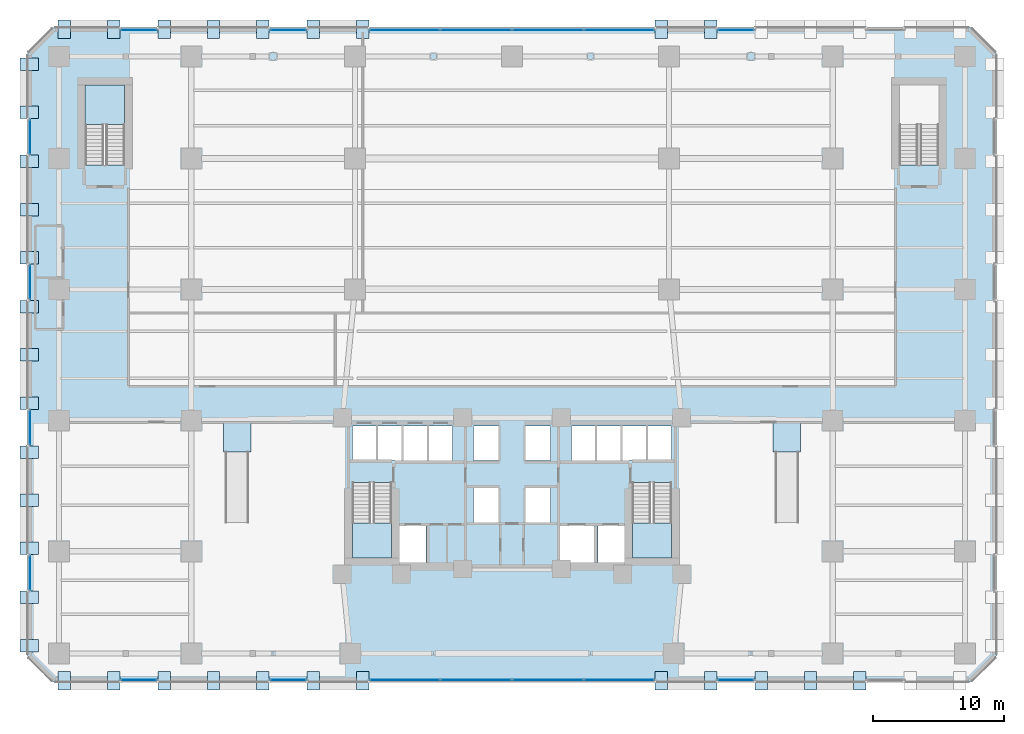
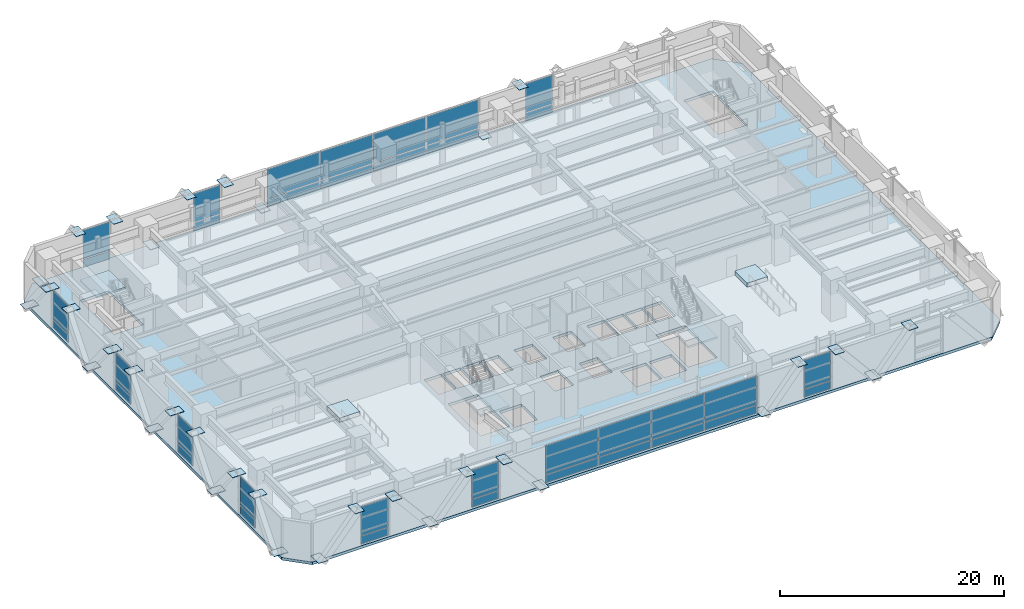
# One storey, part 12 of 26: 70 plates, 6 slabs, 15 elements without a shape of their own.
"""IFC4 building model written with IfcOpenShell, lengths in metres."""

from ifc_helpers import new_model, si_unit, direction, frame, origin, origin_2d, place, context, subcontext, project, spatial, polyline, rectangle, outline, extrude, material, layer, layer_set, type_object, element, aggregate, save


model = new_model("IFC4")

# Units and contexts
model_context = context("Model", 3, precision=1e-05, world=origin(), true_north=direction((0.0, 1.0)))
body_context = subcontext(model_context, "Body", "Model", "MODEL_VIEW")
ifc_project = project(units=[si_unit("LENGTHUNIT", "METRE"), si_unit("AREAUNIT", "SQUARE_METRE"), si_unit("VOLUMEUNIT", "CUBIC_METRE"), si_unit("PLANEANGLEUNIT", "RADIAN"), si_unit("MASSUNIT", "GRAM", prefix="KILO")], contexts=[model_context])

# Site, building, storey
site_placement = place(None, origin())
site = spatial("IfcSite", under=ifc_project, at=site_placement, CompositionType="ELEMENT")
building_placement = place(site_placement, origin())
building = spatial("IfcBuilding", under=site, at=building_placement, Name="Quenlor Broadcast Tower", CompositionType="ELEMENT")
storey_placement = place(building_placement, frame((0.0, 0.0, 5.0)))
storey = spatial("IfcBuildingStorey", under=building, at=storey_placement, Name="L01", CompositionType="ELEMENT", Elevation=5.0)

# Slabs
ifc_material_1 = material(Name="Concrete C40/50", Category="concrete")
ifc_layer_1 = layer(ifc_material_1, 0.449951171875)
ifc_layer_set_1 = layer_set([ifc_layer_1], Name="Broadcast Raised Concrete C40/50 Plinth Slab 450")
slab_type_1 = type_object("IfcSlabType", Name="Broadcast Raised Concrete C40/50 Plinth Slab 450", PredefinedType="FLOOR", material=ifc_layer_set_1)
slab_1_placement = place(storey_placement, origin())
element("IfcSlab", 1, at=slab_1_placement, inside=storey, type_object=slab_type_1, Name="L01 Accessible Ramp Arrival Plinth 1", PredefinedType="FLOOR", context=body_context, shape_type="SweptSolid", body=[
    extrude(outline(polyline([(-22.050048828125, -7.39990234375), (-19.949951171875, -7.39990234375), (-19.949951171875, -5.199951171875), (-22.050048828125, -5.199951171875), (-22.050048828125, -7.39990234375)])), origin(), (0.0, 0.0, 1.0), 0.449951171875),
])
slab_2_placement = place(storey_placement, origin())
element("IfcSlab", 2, at=slab_2_placement, inside=storey, type_object=slab_type_1, Name="L01 Accessible Ramp Arrival Plinth 2", PredefinedType="FLOOR", context=body_context, shape_type="SweptSolid", body=[
    extrude(outline(polyline([(19.949951171875, -7.39990234375), (22.050048828125, -7.39990234375), (22.050048828125, -5.199951171875), (19.949951171875, -5.199951171875), (19.949951171875, -7.39990234375)])), origin(), (0.0, 0.0, 1.0), 0.449951171875),
])

# Curtain wall, plates
ifc_material_2 = material(Name="Architectural Terracotta and Low-E Glazing", Category="masonry")
curtain_wall_type = type_object("IfcCurtainWallType", Name="Station Concourse and Crown Terracotta Curtain Wall", PredefinedType="NOTDEFINED", material=ifc_material_2)
curtain_wall_1_placement = place(storey_placement, origin())
curtain_wall_1 = element("IfcCurtainWall", 3, at=curtain_wall_1_placement, inside=storey, type_object=curtain_wall_type, Name="L01 Curtain Wall CW6 (L01-S-FULL-G2)", PredefinedType="NOTDEFINED")
ifc_material_3 = material(Name="Double Glazed Low-E Solar Glass", Category="glass")
ifc_layer_2 = layer(ifc_material_3, 0.033935546875)
ifc_layer_set_2 = layer_set([ifc_layer_2], Name="CW6 Double Glazed Vision Panel 34")
plate_type_1 = type_object("IfcPlateType", Name="CW6 Double Glazed Vision Panel 34", PredefinedType="CURTAIN_PANEL", material=ifc_layer_set_2)
plate_1_placement = place(storey_placement, frame((17.10009765625, -24.820068359375, 0.08203125), z_axis=(0.0, 0.0, 1.0), x_axis=(-1.0, 0.0, 0.0)))
plate_1 = element("IfcPlate", 4, at=plate_1_placement, type_object=plate_type_1, Name="CW6 panel 1.1", PredefinedType="CURTAIN_PANEL", context=body_context, shape_type="SweptSolid", body=[
    extrude(rectangle(XDim=2.737060546875, YDim=0.033935546875, at=origin_2d()), origin(), (0.0, 0.0, 1.0), 0.826904296875),
])
plate_2_placement = place(storey_placement, frame((17.10009765625, -24.820068359375, 0.990966796875), z_axis=(0.0, 0.0, 1.0), x_axis=(-1.0, 0.0, 0.0)))
plate_2 = element("IfcPlate", 5, at=plate_2_placement, type_object=plate_type_1, Name="CW6 panel 1.2", PredefinedType="CURTAIN_PANEL", context=body_context, shape_type="SweptSolid", body=[
    extrude(rectangle(XDim=2.737060546875, YDim=0.033935546875, at=origin_2d()), origin(), (0.0, 0.0, 1.0), 3.126953125),
])
aggregate(curtain_wall_1, [plate_1, plate_2])

curtain_wall_2_placement = place(storey_placement, origin())
curtain_wall_2 = element("IfcCurtainWall", 6, at=curtain_wall_2_placement, inside=storey, type_object=curtain_wall_type, Name="L01 Curtain Wall CW6 (L01-S-FULL-G3)", PredefinedType="NOTDEFINED")
plate_3_placement = place(storey_placement, frame((8.1923828125, -24.820068359375, 0.08203125), z_axis=(0.0, 0.0, 1.0), x_axis=(-1.0, 0.0, 0.0)))
plate_3 = element("IfcPlate", 7, at=plate_3_placement, type_object=plate_type_1, Name="CW6 panel 1.1", PredefinedType="CURTAIN_PANEL", context=body_context, shape_type="SweptSolid", body=[
    extrude(rectangle(XDim=5.352294921875, YDim=0.033935546875, at=origin_2d()), origin(), (0.0, 0.0, 1.0), 0.826904296875),
])
plate_4_placement = place(storey_placement, frame((8.1923828125, -24.820068359375, 0.990966796875), z_axis=(0.0, 0.0, 1.0), x_axis=(-1.0, 0.0, 0.0)))
plate_4 = element("IfcPlate", 8, at=plate_4_placement, type_object=plate_type_1, Name="CW6 panel 1.2", PredefinedType="CURTAIN_PANEL", context=body_context, shape_type="SweptSolid", body=[
    extrude(rectangle(XDim=5.352294921875, YDim=0.033935546875, at=origin_2d()), origin(), (0.0, 0.0, 1.0), 3.126953125),
])
plate_5_placement = place(storey_placement, frame((2.737548828125, -24.820068359375, 0.08203125), z_axis=(0.0, 0.0, 1.0), x_axis=(-1.0, 0.0, 0.0)))
plate_5 = element("IfcPlate", 9, at=plate_5_placement, type_object=plate_type_1, Name="CW6 panel 2.1", PredefinedType="CURTAIN_PANEL", context=body_context, shape_type="SweptSolid", body=[
    extrude(rectangle(XDim=5.393310546875, YDim=0.033935546875, at=origin_2d()), origin(), (0.0, 0.0, 1.0), 0.826904296875),
])
plate_6_placement = place(storey_placement, frame((2.737548828125, -24.820068359375, 0.990966796875), z_axis=(0.0, 0.0, 1.0), x_axis=(-1.0, 0.0, 0.0)))
plate_6 = element("IfcPlate", 10, at=plate_6_placement, type_object=plate_type_1, Name="CW6 panel 2.2", PredefinedType="CURTAIN_PANEL", context=body_context, shape_type="SweptSolid", body=[
    extrude(rectangle(XDim=5.393310546875, YDim=0.033935546875, at=origin_2d()), origin(), (0.0, 0.0, 1.0), 3.126953125),
])
plate_7_placement = place(storey_placement, frame((-2.737548828125, -24.820068359375, 0.08203125), z_axis=(0.0, 0.0, 1.0), x_axis=(-1.0, 0.0, 0.0)))
plate_7 = element("IfcPlate", 11, at=plate_7_placement, type_object=plate_type_1, Name="CW6 panel 3.1", PredefinedType="CURTAIN_PANEL", context=body_context, shape_type="SweptSolid", body=[
    extrude(rectangle(XDim=5.393310546875, YDim=0.033935546875, at=origin_2d()), origin(), (0.0, 0.0, 1.0), 0.826904296875),
])
plate_8_placement = place(storey_placement, frame((-2.737548828125, -24.820068359375, 0.990966796875), z_axis=(0.0, 0.0, 1.0), x_axis=(-1.0, 0.0, 0.0)))
plate_8 = element("IfcPlate", 12, at=plate_8_placement, type_object=plate_type_1, Name="CW6 panel 3.2", PredefinedType="CURTAIN_PANEL", context=body_context, shape_type="SweptSolid", body=[
    extrude(rectangle(XDim=5.393310546875, YDim=0.033935546875, at=origin_2d()), origin(), (0.0, 0.0, 1.0), 3.126953125),
])
plate_9_placement = place(storey_placement, frame((-8.1923828125, -24.820068359375, 0.08203125), z_axis=(0.0, 0.0, 1.0), x_axis=(-1.0, 0.0, 0.0)))
plate_9 = element("IfcPlate", 13, at=plate_9_placement, type_object=plate_type_1, Name="CW6 panel 4.1", PredefinedType="CURTAIN_PANEL", context=body_context, shape_type="SweptSolid", body=[
    extrude(rectangle(XDim=5.352294921875, YDim=0.033935546875, at=origin_2d()), origin(), (0.0, 0.0, 1.0), 0.826904296875),
])
plate_10_placement = place(storey_placement, frame((-8.1923828125, -24.820068359375, 0.990966796875), z_axis=(0.0, 0.0, 1.0), x_axis=(-1.0, 0.0, 0.0)))
plate_10 = element("IfcPlate", 14, at=plate_10_placement, type_object=plate_type_1, Name="CW6 panel 4.2", PredefinedType="CURTAIN_PANEL", context=body_context, shape_type="SweptSolid", body=[
    extrude(rectangle(XDim=5.352294921875, YDim=0.033935546875, at=origin_2d()), origin(), (0.0, 0.0, 1.0), 3.126953125),
])
aggregate(curtain_wall_2, [plate_3, plate_4, plate_5, plate_6, plate_7, plate_8, plate_9, plate_10])

curtain_wall_3_placement = place(storey_placement, origin())
curtain_wall_3 = element("IfcCurtainWall", 15, at=curtain_wall_3_placement, inside=storey, type_object=curtain_wall_type, Name="L01 Curtain Wall CW6 (L01-S-FULL-G4)", PredefinedType="NOTDEFINED")
plate_11_placement = place(storey_placement, frame((-17.10009765625, -24.820068359375, 0.08203125), z_axis=(0.0, 0.0, 1.0), x_axis=(-1.0, 0.0, 0.0)))
plate_11 = element("IfcPlate", 16, at=plate_11_placement, type_object=plate_type_1, Name="CW6 panel 1.1", PredefinedType="CURTAIN_PANEL", context=body_context, shape_type="SweptSolid", body=[
    extrude(rectangle(XDim=2.737060546875, YDim=0.033935546875, at=origin_2d()), origin(), (0.0, 0.0, 1.0), 0.826904296875),
])
plate_12_placement = place(storey_placement, frame((-17.10009765625, -24.820068359375, 0.990966796875), z_axis=(0.0, 0.0, 1.0), x_axis=(-1.0, 0.0, 0.0)))
plate_12 = element("IfcPlate", 17, at=plate_12_placement, type_object=plate_type_1, Name="CW6 panel 1.2", PredefinedType="CURTAIN_PANEL", context=body_context, shape_type="SweptSolid", body=[
    extrude(rectangle(XDim=2.737060546875, YDim=0.033935546875, at=origin_2d()), origin(), (0.0, 0.0, 1.0), 3.126953125),
])
aggregate(curtain_wall_3, [plate_11, plate_12])

curtain_wall_4_placement = place(storey_placement, origin())
curtain_wall_4 = element("IfcCurtainWall", 18, at=curtain_wall_4_placement, inside=storey, type_object=curtain_wall_type, Name="L01 Curtain Wall CW6 (L01-S-FULL-G5)", PredefinedType="NOTDEFINED")
plate_13_placement = place(storey_placement, frame((-28.5, -24.820068359375, 0.08203125), z_axis=(0.0, 0.0, 1.0), x_axis=(-1.0, 0.0, 0.0)))
plate_13 = element("IfcPlate", 19, at=plate_13_placement, type_object=plate_type_1, Name="CW6 panel 1.1", PredefinedType="CURTAIN_PANEL", context=body_context, shape_type="SweptSolid", body=[
    extrude(rectangle(XDim=2.737060546875, YDim=0.033935546875, at=origin_2d()), origin(), (0.0, 0.0, 1.0), 0.826904296875),
])
plate_14_placement = place(storey_placement, frame((-28.5, -24.820068359375, 0.990966796875), z_axis=(0.0, 0.0, 1.0), x_axis=(-1.0, 0.0, 0.0)))
plate_14 = element("IfcPlate", 20, at=plate_14_placement, type_object=plate_type_1, Name="CW6 panel 1.2", PredefinedType="CURTAIN_PANEL", context=body_context, shape_type="SweptSolid", body=[
    extrude(rectangle(XDim=2.737060546875, YDim=0.033935546875, at=origin_2d()), origin(), (0.0, 0.0, 1.0), 3.126953125),
])
aggregate(curtain_wall_4, [plate_13, plate_14])

curtain_wall_5_placement = place(storey_placement, origin())
curtain_wall_5 = element("IfcCurtainWall", 21, at=curtain_wall_5_placement, inside=storey, type_object=curtain_wall_type, Name="L01 Curtain Wall CW6 (L01-N-FULL-G1)", PredefinedType="NOTDEFINED")
plate_15_placement = place(storey_placement, frame((-28.5, 24.820068359375, 0.08203125), z_axis=(0.0, 0.0, 1.0), x_axis=(1.0, 0.0, 0.0)))
plate_15 = element("IfcPlate", 22, at=plate_15_placement, type_object=plate_type_1, Name="CW6 panel 1.1", PredefinedType="CURTAIN_PANEL", context=body_context, shape_type="SweptSolid", body=[
    extrude(rectangle(XDim=2.737060546875, YDim=0.033935546875, at=origin_2d()), origin(), (0.0, 0.0, 1.0), 0.826904296875),
])
plate_16_placement = place(storey_placement, frame((-28.5, 24.820068359375, 0.990966796875), z_axis=(0.0, 0.0, 1.0), x_axis=(1.0, 0.0, 0.0)))
plate_16 = element("IfcPlate", 23, at=plate_16_placement, type_object=plate_type_1, Name="CW6 panel 1.2", PredefinedType="CURTAIN_PANEL", context=body_context, shape_type="SweptSolid", body=[
    extrude(rectangle(XDim=2.737060546875, YDim=0.033935546875, at=origin_2d()), origin(), (0.0, 0.0, 1.0), 3.126953125),
])
aggregate(curtain_wall_5, [plate_15, plate_16])

curtain_wall_6_placement = place(storey_placement, origin())
curtain_wall_6 = element("IfcCurtainWall", 24, at=curtain_wall_6_placement, inside=storey, type_object=curtain_wall_type, Name="L01 Curtain Wall CW6 (L01-N-FULL-G2)", PredefinedType="NOTDEFINED")
plate_17_placement = place(storey_placement, frame((-17.10009765625, 24.820068359375, 0.08203125), z_axis=(0.0, 0.0, 1.0), x_axis=(1.0, 0.0, 0.0)))
plate_17 = element("IfcPlate", 25, at=plate_17_placement, type_object=plate_type_1, Name="CW6 panel 1.1", PredefinedType="CURTAIN_PANEL", context=body_context, shape_type="SweptSolid", body=[
    extrude(rectangle(XDim=2.737060546875, YDim=0.033935546875, at=origin_2d()), origin(), (0.0, 0.0, 1.0), 0.826904296875),
])
plate_18_placement = place(storey_placement, frame((-17.10009765625, 24.820068359375, 0.990966796875), z_axis=(0.0, 0.0, 1.0), x_axis=(1.0, 0.0, 0.0)))
plate_18 = element("IfcPlate", 26, at=plate_18_placement, type_object=plate_type_1, Name="CW6 panel 1.2", PredefinedType="CURTAIN_PANEL", context=body_context, shape_type="SweptSolid", body=[
    extrude(rectangle(XDim=2.737060546875, YDim=0.033935546875, at=origin_2d()), origin(), (0.0, 0.0, 1.0), 3.126953125),
])
aggregate(curtain_wall_6, [plate_17, plate_18])

curtain_wall_7_placement = place(storey_placement, origin())
curtain_wall_7 = element("IfcCurtainWall", 27, at=curtain_wall_7_placement, inside=storey, type_object=curtain_wall_type, Name="L01 Curtain Wall CW6 (L01-N-FULL-G3)", PredefinedType="NOTDEFINED")
plate_19_placement = place(storey_placement, frame((-8.1923828125, 24.820068359375, 0.08203125), z_axis=(0.0, 0.0, 1.0), x_axis=(1.0, 0.0, 0.0)))
plate_19 = element("IfcPlate", 28, at=plate_19_placement, type_object=plate_type_1, Name="CW6 panel 1.1", PredefinedType="CURTAIN_PANEL", context=body_context, shape_type="SweptSolid", body=[
    extrude(rectangle(XDim=5.352294921875, YDim=0.033935546875, at=origin_2d()), origin(), (0.0, 0.0, 1.0), 0.826904296875),
])
plate_20_placement = place(storey_placement, frame((-8.1923828125, 24.820068359375, 0.990966796875), z_axis=(0.0, 0.0, 1.0), x_axis=(1.0, 0.0, 0.0)))
plate_20 = element("IfcPlate", 29, at=plate_20_placement, type_object=plate_type_1, Name="CW6 panel 1.2", PredefinedType="CURTAIN_PANEL", context=body_context, shape_type="SweptSolid", body=[
    extrude(rectangle(XDim=5.352294921875, YDim=0.033935546875, at=origin_2d()), origin(), (0.0, 0.0, 1.0), 3.126953125),
])
plate_21_placement = place(storey_placement, frame((-2.737548828125, 24.820068359375, 0.08203125), z_axis=(0.0, 0.0, 1.0), x_axis=(1.0, 0.0, 0.0)))
plate_21 = element("IfcPlate", 30, at=plate_21_placement, type_object=plate_type_1, Name="CW6 panel 2.1", PredefinedType="CURTAIN_PANEL", context=body_context, shape_type="SweptSolid", body=[
    extrude(rectangle(XDim=5.393310546875, YDim=0.033935546875, at=origin_2d()), origin(), (0.0, 0.0, 1.0), 0.826904296875),
])
plate_22_placement = place(storey_placement, frame((-2.737548828125, 24.820068359375, 0.990966796875), z_axis=(0.0, 0.0, 1.0), x_axis=(1.0, 0.0, 0.0)))
plate_22 = element("IfcPlate", 31, at=plate_22_placement, type_object=plate_type_1, Name="CW6 panel 2.2", PredefinedType="CURTAIN_PANEL", context=body_context, shape_type="SweptSolid", body=[
    extrude(rectangle(XDim=5.393310546875, YDim=0.033935546875, at=origin_2d()), origin(), (0.0, 0.0, 1.0), 3.126953125),
])
plate_23_placement = place(storey_placement, frame((2.737548828125, 24.820068359375, 0.08203125), z_axis=(0.0, 0.0, 1.0), x_axis=(1.0, 0.0, 0.0)))
plate_23 = element("IfcPlate", 32, at=plate_23_placement, type_object=plate_type_1, Name="CW6 panel 3.1", PredefinedType="CURTAIN_PANEL", context=body_context, shape_type="SweptSolid", body=[
    extrude(rectangle(XDim=5.393310546875, YDim=0.033935546875, at=origin_2d()), origin(), (0.0, 0.0, 1.0), 0.826904296875),
])
plate_24_placement = place(storey_placement, frame((2.737548828125, 24.820068359375, 0.990966796875), z_axis=(0.0, 0.0, 1.0), x_axis=(1.0, 0.0, 0.0)))
plate_24 = element("IfcPlate", 33, at=plate_24_placement, type_object=plate_type_1, Name="CW6 panel 3.2", PredefinedType="CURTAIN_PANEL", context=body_context, shape_type="SweptSolid", body=[
    extrude(rectangle(XDim=5.393310546875, YDim=0.033935546875, at=origin_2d()), origin(), (0.0, 0.0, 1.0), 3.126953125),
])
plate_25_placement = place(storey_placement, frame((8.1923828125, 24.820068359375, 0.08203125), z_axis=(0.0, 0.0, 1.0), x_axis=(1.0, 0.0, 0.0)))
plate_25 = element("IfcPlate", 34, at=plate_25_placement, type_object=plate_type_1, Name="CW6 panel 4.1", PredefinedType="CURTAIN_PANEL", context=body_context, shape_type="SweptSolid", body=[
    extrude(rectangle(XDim=5.352294921875, YDim=0.033935546875, at=origin_2d()), origin(), (0.0, 0.0, 1.0), 0.826904296875),
])
plate_26_placement = place(storey_placement, frame((8.1923828125, 24.820068359375, 0.990966796875), z_axis=(0.0, 0.0, 1.0), x_axis=(1.0, 0.0, 0.0)))
plate_26 = element("IfcPlate", 35, at=plate_26_placement, type_object=plate_type_1, Name="CW6 panel 4.2", PredefinedType="CURTAIN_PANEL", context=body_context, shape_type="SweptSolid", body=[
    extrude(rectangle(XDim=5.352294921875, YDim=0.033935546875, at=origin_2d()), origin(), (0.0, 0.0, 1.0), 3.126953125),
])
aggregate(curtain_wall_7, [plate_19, plate_20, plate_21, plate_22, plate_23, plate_24, plate_25, plate_26])

curtain_wall_8_placement = place(storey_placement, origin())
curtain_wall_8 = element("IfcCurtainWall", 36, at=curtain_wall_8_placement, inside=storey, type_object=curtain_wall_type, Name="L01 Curtain Wall CW6 (L01-N-FULL-G4)", PredefinedType="NOTDEFINED")
plate_27_placement = place(storey_placement, frame((17.10009765625, 24.820068359375, 0.08203125), z_axis=(0.0, 0.0, 1.0), x_axis=(1.0, 0.0, 0.0)))
plate_27 = element("IfcPlate", 37, at=plate_27_placement, type_object=plate_type_1, Name="CW6 panel 1.1", PredefinedType="CURTAIN_PANEL", context=body_context, shape_type="SweptSolid", body=[
    extrude(rectangle(XDim=2.737060546875, YDim=0.033935546875, at=origin_2d()), origin(), (0.0, 0.0, 1.0), 0.826904296875),
])
plate_28_placement = place(storey_placement, frame((17.10009765625, 24.820068359375, 0.990966796875), z_axis=(0.0, 0.0, 1.0), x_axis=(1.0, 0.0, 0.0)))
plate_28 = element("IfcPlate", 38, at=plate_28_placement, type_object=plate_type_1, Name="CW6 panel 1.2", PredefinedType="CURTAIN_PANEL", context=body_context, shape_type="SweptSolid", body=[
    extrude(rectangle(XDim=2.737060546875, YDim=0.033935546875, at=origin_2d()), origin(), (0.0, 0.0, 1.0), 3.126953125),
])
aggregate(curtain_wall_8, [plate_27, plate_28])

curtain_wall_9_placement = place(storey_placement, origin())
curtain_wall_9 = element("IfcCurtainWall", 39, at=curtain_wall_9_placement, inside=storey, type_object=curtain_wall_type, Name="L01 Curtain Wall CW6 (L01-W-FULL-G1)", PredefinedType="NOTDEFINED")
plate_29_placement = place(storey_placement, frame((-36.820068359375, -16.64990234375, 0.08203125), z_axis=(0.0, 0.0, 1.0), x_axis=(0.0, 1.0, 0.0)))
plate_29 = element("IfcPlate", 40, at=plate_29_placement, type_object=plate_type_1, Name="CW6 panel 1.1", PredefinedType="CURTAIN_PANEL", context=body_context, shape_type="SweptSolid", body=[
    extrude(rectangle(XDim=2.630615234375, YDim=0.033935546875, at=origin_2d()), origin(), (0.0, 0.0, 1.0), 0.826904296875),
])
plate_30_placement = place(storey_placement, frame((-36.820068359375, -16.64990234375, 0.990966796875), z_axis=(0.0, 0.0, 1.0), x_axis=(0.0, 1.0, 0.0)))
plate_30 = element("IfcPlate", 41, at=plate_30_placement, type_object=plate_type_1, Name="CW6 panel 1.2", PredefinedType="CURTAIN_PANEL", context=body_context, shape_type="SweptSolid", body=[
    extrude(rectangle(XDim=2.630615234375, YDim=0.033935546875, at=origin_2d()), origin(), (0.0, 0.0, 1.0), 3.126953125),
])
aggregate(curtain_wall_9, [plate_29, plate_30])

curtain_wall_10_placement = place(storey_placement, origin())
curtain_wall_10 = element("IfcCurtainWall", 42, at=curtain_wall_10_placement, inside=storey, type_object=curtain_wall_type, Name="L01 Curtain Wall CW6 (L01-W-FULL-G2)", PredefinedType="NOTDEFINED")
plate_31_placement = place(storey_placement, frame((-36.820068359375, -5.550048828125, 0.08203125), z_axis=(0.0, 0.0, 1.0), x_axis=(0.0, 1.0, 0.0)))
plate_31 = element("IfcPlate", 43, at=plate_31_placement, type_object=plate_type_1, Name="CW6 panel 1.1", PredefinedType="CURTAIN_PANEL", context=body_context, shape_type="SweptSolid", body=[
    extrude(rectangle(XDim=2.630615234375, YDim=0.033935546875, at=origin_2d()), origin(), (0.0, 0.0, 1.0), 0.826904296875),
])
plate_32_placement = place(storey_placement, frame((-36.820068359375, -5.550048828125, 0.990966796875), z_axis=(0.0, 0.0, 1.0), x_axis=(0.0, 1.0, 0.0)))
plate_32 = element("IfcPlate", 44, at=plate_32_placement, type_object=plate_type_1, Name="CW6 panel 1.2", PredefinedType="CURTAIN_PANEL", context=body_context, shape_type="SweptSolid", body=[
    extrude(rectangle(XDim=2.630615234375, YDim=0.033935546875, at=origin_2d()), origin(), (0.0, 0.0, 1.0), 3.126953125),
])
aggregate(curtain_wall_10, [plate_31, plate_32])

curtain_wall_11_placement = place(storey_placement, origin())
curtain_wall_11 = element("IfcCurtainWall", 45, at=curtain_wall_11_placement, inside=storey, type_object=curtain_wall_type, Name="L01 Curtain Wall CW6 (L01-W-FULL-G3)", PredefinedType="NOTDEFINED")
plate_33_placement = place(storey_placement, frame((-36.820068359375, 5.550048828125, 0.08203125), z_axis=(0.0, 0.0, 1.0), x_axis=(0.0, 1.0, 0.0)))
plate_33 = element("IfcPlate", 46, at=plate_33_placement, type_object=plate_type_1, Name="CW6 panel 1.1", PredefinedType="CURTAIN_PANEL", context=body_context, shape_type="SweptSolid", body=[
    extrude(rectangle(XDim=2.630615234375, YDim=0.033935546875, at=origin_2d()), origin(), (0.0, 0.0, 1.0), 0.826904296875),
])
plate_34_placement = place(storey_placement, frame((-36.820068359375, 5.550048828125, 0.990966796875), z_axis=(0.0, 0.0, 1.0), x_axis=(0.0, 1.0, 0.0)))
plate_34 = element("IfcPlate", 47, at=plate_34_placement, type_object=plate_type_1, Name="CW6 panel 1.2", PredefinedType="CURTAIN_PANEL", context=body_context, shape_type="SweptSolid", body=[
    extrude(rectangle(XDim=2.630615234375, YDim=0.033935546875, at=origin_2d()), origin(), (0.0, 0.0, 1.0), 3.126953125),
])
aggregate(curtain_wall_11, [plate_33, plate_34])

curtain_wall_12_placement = place(storey_placement, origin())
curtain_wall_12 = element("IfcCurtainWall", 48, at=curtain_wall_12_placement, inside=storey, type_object=curtain_wall_type, Name="L01 Curtain Wall CW6 (L01-W-FULL-G4)", PredefinedType="NOTDEFINED")
plate_35_placement = place(storey_placement, frame((-36.820068359375, 16.64990234375, 0.08203125), z_axis=(0.0, 0.0, 1.0), x_axis=(0.0, 1.0, 0.0)))
plate_35 = element("IfcPlate", 49, at=plate_35_placement, type_object=plate_type_1, Name="CW6 panel 1.1", PredefinedType="CURTAIN_PANEL", context=body_context, shape_type="SweptSolid", body=[
    extrude(rectangle(XDim=2.630615234375, YDim=0.033935546875, at=origin_2d()), origin(), (0.0, 0.0, 1.0), 0.826904296875),
])
plate_36_placement = place(storey_placement, frame((-36.820068359375, 16.64990234375, 0.990966796875), z_axis=(0.0, 0.0, 1.0), x_axis=(0.0, 1.0, 0.0)))
plate_36 = element("IfcPlate", 50, at=plate_36_placement, type_object=plate_type_1, Name="CW6 panel 1.2", PredefinedType="CURTAIN_PANEL", context=body_context, shape_type="SweptSolid", body=[
    extrude(rectangle(XDim=2.630615234375, YDim=0.033935546875, at=origin_2d()), origin(), (0.0, 0.0, 1.0), 3.126953125),
])
aggregate(curtain_wall_12, [plate_35, plate_36])

# Stair, slab
ifc_material_4 = material(Name="Precast concrete C40/50", Category="concrete")
stair_type = type_object("IfcStairType", Name="Precast Concrete C40/50 Dogleg Stair H450", PredefinedType="HALF_TURN_STAIR", material=ifc_material_4)
stair_1_placement = place(storey_placement, origin())
stair_1 = element("IfcStair", 51, at=stair_1_placement, inside=storey, type_object=stair_type, Name="L01 West Core Fire-Isolated Exit Stair ST-1", PredefinedType="HALF_TURN_STAIR")
ifc_material_5 = material(Name="Precast concrete C40/50", Category="concrete")
ifc_layer_3 = layer(ifc_material_5, 0.199951171875)
ifc_layer_set_3 = layer_set([ifc_layer_3], Name="Precast Concrete C40/50 Stair Landing Slab 200")
slab_type_2 = type_object("IfcSlabType", Name="Precast Concrete C40/50 Stair Landing Slab 200", PredefinedType="LANDING", material=ifc_layer_set_3)
slab_3_placement = place(storey_placement, frame((0.0, 0.0, 2.050048828125)))
slab_3 = element("IfcSlab", 52, at=slab_3_placement, type_object=slab_type_2, Name="ST-1 landing 1", PredefinedType="LANDING", context=body_context, shape_type="SweptSolid", body=[
    extrude(outline(polyline([(-12.199951171875, -12.830078125), (-12.199951171875, -15.5), (-9.199951171875, -15.5), (-9.199951171875, -12.830078125), (-12.199951171875, -12.830078125)])), origin(), (0.0, 0.0, 1.0), 0.199951171875),
])
aggregate(stair_1, [slab_3])

stair_2_placement = place(storey_placement, origin())
stair_2 = element("IfcStair", 53, at=stair_2_placement, inside=storey, type_object=stair_type, Name="L01 East Core Fire-Isolated Exit Stair ST-2", PredefinedType="HALF_TURN_STAIR")
slab_4_placement = place(storey_placement, frame((0.0, 0.0, 2.050048828125)))
slab_4 = element("IfcSlab", 54, at=slab_4_placement, type_object=slab_type_2, Name="ST-2 landing 1", PredefinedType="LANDING", context=body_context, shape_type="SweptSolid", body=[
    extrude(outline(polyline([(9.199951171875, -12.830078125), (9.199951171875, -15.5), (12.199951171875, -15.5), (12.199951171875, -12.830078125), (9.199951171875, -12.830078125)])), origin(), (0.0, 0.0, 1.0), 0.199951171875),
])
aggregate(stair_2, [slab_4])

stair_3_placement = place(storey_placement, origin())
stair_3 = element("IfcStair", 55, at=stair_3_placement, inside=storey, type_object=stair_type, Name="L01 Station Podium North-West Exit Stair ST-3", PredefinedType="HALF_TURN_STAIR")
slab_5_placement = place(storey_placement, frame((0.0, 0.0, 2.050048828125)))
slab_5 = element("IfcSlab", 56, at=slab_5_placement, type_object=slab_type_2, Name="ST-3 landing 1", PredefinedType="LANDING", context=body_context, shape_type="SweptSolid", body=[
    extrude(outline(polyline([(-29.60009765625, 17.580078125), (-29.60009765625, 20.60009765625), (-32.60009765625, 20.60009765625), (-32.60009765625, 17.580078125), (-29.60009765625, 17.580078125)])), origin(), (0.0, 0.0, 1.0), 0.199951171875),
])
aggregate(stair_3, [slab_5])

# Slab
ifc_material_6 = material(Name="Concrete C50/60", Category="concrete")
ifc_layer_4 = layer(ifc_material_6, 0.300048828125)
ifc_layer_set_4 = layer_set([ifc_layer_4], Name="Station Podium Concrete C50/60 Slab 300")
slab_type_3 = type_object("IfcSlabType", Name="Station Podium Concrete C50/60 Slab 300", PredefinedType="FLOOR", material=ifc_layer_set_4)
slab_6_placement = place(storey_placement, frame((0.0, 0.0, -0.300048828125)))
element("IfcSlab", 57, at=slab_6_placement, inside=storey, type_object=slab_type_3, Name="L01 Structural Floor Slab", PredefinedType="FLOOR", context=body_context, shape_type="SweptSolid", body=[
    extrude(outline(polyline([(-35.0, -25.0), (35.0, -25.0), (37.0, -23.0), (37.0, 23.0), (35.0, 25.0), (-35.0, 25.0), (-37.0, 23.0), (-37.0, -23.0), (-35.0, -25.0)]), holes=[polyline([(-12.199951171875, -9.758056640625), (-12.199951171875, -15.5), (-9.199951171875, -15.5), (-9.199951171875, -9.758056640625), (-12.199951171875, -9.758056640625)]), polyline([(9.199951171875, -9.758056640625), (9.199951171875, -15.5), (12.199951171875, -15.5), (12.199951171875, -9.758056640625), (9.199951171875, -9.758056640625)]), polyline([(-29.60009765625, 14.508056640625), (-29.60009765625, 20.60009765625), (-32.60009765625, 20.60009765625), (-32.60009765625, 14.508056640625), (-29.60009765625, 14.508056640625)]), polyline([(32.60009765625, 14.508056640625), (32.60009765625, 20.60009765625), (29.60009765625, 20.60009765625), (29.60009765625, 14.508056640625), (32.60009765625, 14.508056640625)]), polyline([(-12.199951171875, -8.050048828125), (-10.39990234375, -8.050048828125), (-10.39990234375, -5.449951171875), (-12.199951171875, -5.449951171875), (-12.199951171875, -8.050048828125)]), polyline([(-10.25, -8.050048828125), (-8.449951171875, -8.050048828125), (-8.449951171875, -5.449951171875), (-10.25, -5.449951171875), (-10.25, -8.050048828125)]), polyline([(-8.300048828125, -8.050048828125), (-6.5, -8.050048828125), (-6.5, -5.449951171875), (-8.300048828125, -5.449951171875), (-8.300048828125, -8.050048828125)]), polyline([(-6.35009765625, -8.050048828125), (-4.550048828125, -8.050048828125), (-4.550048828125, -5.449951171875), (-6.35009765625, -5.449951171875), (-6.35009765625, -8.050048828125)]), polyline([(-2.949951171875, -8.050048828125), (-1.050048828125, -8.050048828125), (-1.050048828125, -5.449951171875), (-2.949951171875, -5.449951171875), (-2.949951171875, -8.050048828125)]), polyline([(1.050048828125, -8.050048828125), (2.949951171875, -8.050048828125), (2.949951171875, -5.449951171875), (1.050048828125, -5.449951171875), (1.050048828125, -8.050048828125)]), polyline([(-2.949951171875, -12.800048828125), (-1.050048828125, -12.800048828125), (-1.050048828125, -10.14990234375), (-2.949951171875, -10.14990234375), (-2.949951171875, -12.800048828125)]), polyline([(1.050048828125, -12.800048828125), (2.949951171875, -12.800048828125), (2.949951171875, -10.14990234375), (1.050048828125, -10.14990234375), (1.050048828125, -12.800048828125)]), polyline([(4.550048828125, -8.050048828125), (6.35009765625, -8.050048828125), (6.35009765625, -5.449951171875), (4.550048828125, -5.449951171875), (4.550048828125, -8.050048828125)]), polyline([(6.5, -8.050048828125), (8.300048828125, -8.050048828125), (8.300048828125, -5.449951171875), (6.5, -5.449951171875), (6.5, -8.050048828125)]), polyline([(8.449951171875, -8.050048828125), (10.25, -8.050048828125), (10.25, -5.449951171875), (8.449951171875, -5.449951171875), (8.449951171875, -8.050048828125)]), polyline([(10.39990234375, -8.050048828125), (12.199951171875, -8.050048828125), (12.199951171875, -5.449951171875), (10.39990234375, -5.449951171875), (10.39990234375, -8.050048828125)]), polyline([(-8.85009765625, -15.85009765625), (-6.550048828125, -15.85009765625), (-6.550048828125, -13.050048828125), (-8.85009765625, -13.050048828125), (-8.85009765625, -15.85009765625)]), polyline([(6.550048828125, -15.85009765625), (8.85009765625, -15.85009765625), (8.85009765625, -13.050048828125), (6.550048828125, -13.050048828125), (6.550048828125, -15.85009765625)]), polyline([(3.64990234375, -15.85009765625), (6.25, -15.85009765625), (6.25, -13.050048828125), (3.64990234375, -13.050048828125), (3.64990234375, -15.85009765625)])]), origin(), (0.0, 0.0, 1.0), 0.300048828125),
])

# Plates
ifc_material_7 = material(Name="Steel S355", Category="steel")
ifc_layer_5 = layer(ifc_material_7, 0.035888671875)
ifc_layer_set_5 = layer_set([ifc_layer_5], Name="Transfer Truss Steel S355 Gusset Node Plate 1400x950x36")
plate_type_2 = type_object("IfcPlateType", Name="Transfer Truss Steel S355 Gusset Node Plate 1400x950x36", PredefinedType="SHEET", material=ifc_layer_set_5)
for number, where, z_axis, x_axis, name in (
    (58, (22.800048828125, -24.8798828125, 0.0419921875), (0.0, 0.0, 1.0), (0.0, -1.0, 0.0), "L01 Podium Lattice Tie Gusset S-B3"),
    (59, (26.5771484375, -24.8798828125, 4.14208984375), (0.0, 0.0, 1.0), (0.0, -1.0, 0.0), "L01 Podium Lattice Tie Gusset S-T2"),
    (60, (19.022705078125, -24.8798828125, 4.14208984375), (0.0, 0.0, 1.0), (0.0, -1.0, 0.0), "L01 Podium Lattice Tie Gusset S-T4"),
    (61, (11.39990234375, -24.8798828125, 0.0419921875), (0.0, 0.0, 1.0), (0.0, -1.0, 0.0), "L01 Podium Lattice Tie Gusset S-B6"),
    (62, (15.17724609375, -24.8798828125, 4.14208984375), (0.0, 0.0, 1.0), (0.0, -1.0, 0.0), "L01 Podium Lattice Tie Gusset S-T5"),
    (63, (-11.39990234375, -24.8798828125, 0.0419921875), (0.0, 0.0, 1.0), (0.0, -1.0, 0.0), "L01 Podium Lattice Tie Gusset S-B12"),
    (64, (-15.17724609375, -24.8798828125, 4.14208984375), (0.0, 0.0, 1.0), (0.0, -1.0, 0.0), "L01 Podium Lattice Tie Gusset S-T13"),
    (65, (-22.800048828125, -24.8798828125, 0.0419921875), (0.0, 0.0, 1.0), (0.0, -1.0, 0.0), "L01 Podium Lattice Tie Gusset S-B15"),
    (66, (-19.022705078125, -24.8798828125, 4.14208984375), (0.0, 0.0, 1.0), (0.0, -1.0, 0.0), "L01 Podium Lattice Tie Gusset S-T14"),
    (67, (-26.5771484375, -24.8798828125, 4.14208984375), (0.0, 0.0, 1.0), (0.0, -1.0, 0.0), "L01 Podium Lattice Tie Gusset S-T16"),
    (68, (-34.199951171875, -24.8798828125, 0.0419921875), (0.0, 0.0, 1.0), (0.0, -1.0, 0.0), "L01 Podium Lattice Tie Gusset S-B18"),
    (69, (-30.4228515625, -24.8798828125, 4.14208984375), (0.0, 0.0, 1.0), (0.0, -1.0, 0.0), "L01 Podium Lattice Tie Gusset S-T17"),
    (70, (-34.199951171875, 24.8798828125, 0.0419921875), (0.0, 0.0, 1.0), (0.0, 1.0, 0.0), "L01 Podium Lattice Tie Gusset N-B0"),
    (71, (-30.4228515625, 24.8798828125, 4.14208984375), (0.0, 0.0, 1.0), (0.0, 1.0, 0.0), "L01 Podium Lattice Tie Gusset N-T1"),
    (72, (-22.800048828125, 24.8798828125, 0.0419921875), (0.0, 0.0, 1.0), (0.0, 1.0, 0.0), "L01 Podium Lattice Tie Gusset N-B3"),
    (73, (-26.5771484375, 24.8798828125, 4.14208984375), (0.0, 0.0, 1.0), (0.0, 1.0, 0.0), "L01 Podium Lattice Tie Gusset N-T2"),
    (74, (-19.022705078125, 24.8798828125, 4.14208984375), (0.0, 0.0, 1.0), (0.0, 1.0, 0.0), "L01 Podium Lattice Tie Gusset N-T4"),
    (75, (-11.39990234375, 24.8798828125, 0.0419921875), (0.0, 0.0, 1.0), (0.0, 1.0, 0.0), "L01 Podium Lattice Tie Gusset N-B6"),
    (76, (-15.17724609375, 24.8798828125, 4.14208984375), (0.0, 0.0, 1.0), (0.0, 1.0, 0.0), "L01 Podium Lattice Tie Gusset N-T5"),
    (77, (11.39990234375, 24.8798828125, 0.0419921875), (0.0, 0.0, 1.0), (0.0, 1.0, 0.0), "L01 Podium Lattice Tie Gusset N-B12"),
    (78, (15.17724609375, 24.8798828125, 4.14208984375), (0.0, 0.0, 1.0), (0.0, 1.0, 0.0), "L01 Podium Lattice Tie Gusset N-T13"),
    (79, (-36.8798828125, -22.199951171875, 0.0419921875), (0.0, 0.0, 1.0), (-1.0, 0.0, 0.0), "L01 Podium Lattice Tie Gusset W-B0"),
    (80, (-36.8798828125, -18.522216796875, 4.14208984375), (0.0, 0.0, 1.0), (-1.0, 0.0, 0.0), "L01 Podium Lattice Tie Gusset W-T1"),
    (81, (-36.8798828125, -11.10009765625, 0.0419921875), (0.0, 0.0, 1.0), (-1.0, 0.0, 0.0), "L01 Podium Lattice Tie Gusset W-B3"),
    (82, (-36.8798828125, -14.77783203125, 4.14208984375), (0.0, 0.0, 1.0), (-1.0, 0.0, 0.0), "L01 Podium Lattice Tie Gusset W-T2"),
    (83, (-36.8798828125, -7.422119140625, 4.14208984375), (0.0, 0.0, 1.0), (-1.0, 0.0, 0.0), "L01 Podium Lattice Tie Gusset W-T4"),
    (84, (-36.8798828125, 0.0, 0.0419921875), (0.0, 0.0, 1.0), (-1.0, 0.0, 0.0), "L01 Podium Lattice Tie Gusset W-B6"),
    (85, (-36.8798828125, -3.677734375, 4.14208984375), (0.0, 0.0, 1.0), (-1.0, 0.0, 0.0), "L01 Podium Lattice Tie Gusset W-T5"),
    (86, (-36.8798828125, 3.677734375, 4.14208984375), (0.0, 0.0, 1.0), (-1.0, 0.0, 0.0), "L01 Podium Lattice Tie Gusset W-T7"),
    (87, (-36.8798828125, 11.10009765625, 0.0419921875), (0.0, 0.0, 1.0), (-1.0, 0.0, 0.0), "L01 Podium Lattice Tie Gusset W-B9"),
    (88, (-36.8798828125, 7.422119140625, 4.14208984375), (0.0, 0.0, 1.0), (-1.0, 0.0, 0.0), "L01 Podium Lattice Tie Gusset W-T8"),
    (89, (-36.8798828125, 14.77783203125, 4.14208984375), (0.0, 0.0, 1.0), (-1.0, 0.0, 0.0), "L01 Podium Lattice Tie Gusset W-T10"),
    (90, (-36.8798828125, 22.199951171875, 0.0419921875), (0.0, 0.0, 1.0), (-1.0, 0.0, 0.0), "L01 Podium Lattice Tie Gusset W-B12"),
    (91, (-36.8798828125, 18.522216796875, 4.14208984375), (0.0, 0.0, 1.0), (-1.0, 0.0, 0.0), "L01 Podium Lattice Tie Gusset W-T11"),
):
    element("IfcPlate", number, at=place(storey_placement, frame(where, z_axis=z_axis, x_axis=x_axis)), inside=storey, type_object=plate_type_2, Name=name, PredefinedType="SHEET", context=body_context, shape_type="SweptSolid", body=[
        extrude(rectangle(XDim=1.39990234375, YDim=0.949951171875, at=origin_2d()), origin(), (0.0, 0.0, 1.0), 0.035888671875),
    ])

save(model, "model.ifc")
